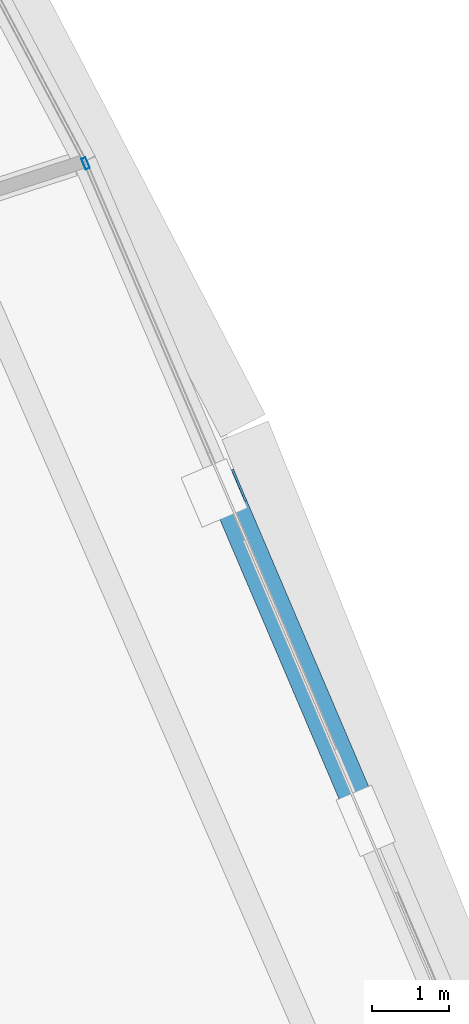
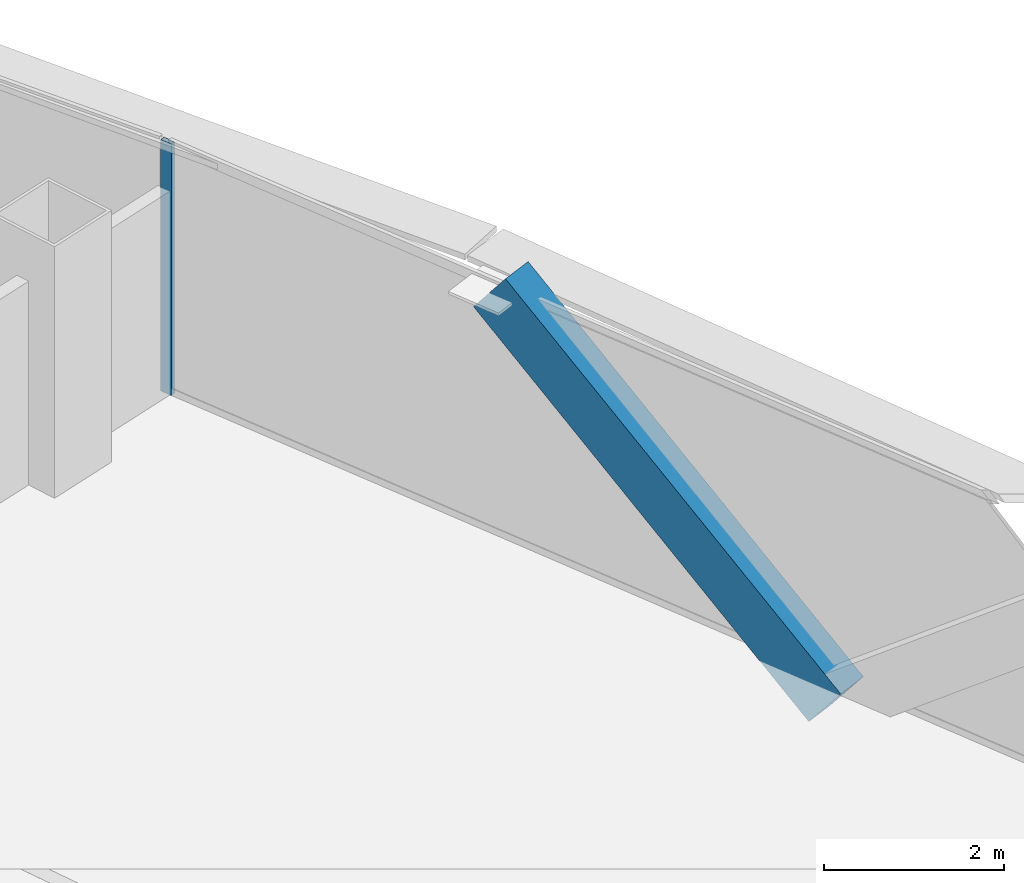
# One storey, part 26 of 42: 2 members, 1 element without a shape of its own.
"""IFC4 building model written with IfcOpenShell, lengths in metres."""

from ifc_helpers import new_model, si_unit, direction, frame, origin, origin_2d, place, context, subcontext, project, spatial, hollow_rectangle, extrude, source, transform, mapped, material, layer, layer_set, material_profile, profile_set, type_object, element, aggregate, save


model = new_model("IFC4")

# Units and contexts
model_context = context("Model", 3, precision=1e-05, world=origin(), true_north=direction((0.0, 1.0)))
body_context = subcontext(model_context, "Body", "Model", "MODEL_VIEW")
ifc_project = project(units=[si_unit("LENGTHUNIT", "METRE"), si_unit("AREAUNIT", "SQUARE_METRE"), si_unit("VOLUMEUNIT", "CUBIC_METRE"), si_unit("PLANEANGLEUNIT", "RADIAN"), si_unit("MASSUNIT", "GRAM", prefix="KILO"), si_unit("THERMODYNAMICTEMPERATUREUNIT", "KELVIN"), si_unit("POWERUNIT", "WATT")], contexts=[model_context])

# Site, building, storey
site_placement = place(None, origin())
site = spatial("IfcSite", under=ifc_project, at=site_placement, CompositionType="ELEMENT")
building_placement = place(site_placement, origin())
building = spatial("IfcBuilding", under=site, at=building_placement, Name="Yunzhuo Pagoda Commons", CompositionType="ELEMENT")
storey_placement = place(building_placement, frame((0.0, 0.0, 137.18994140625)))
storey = spatial("IfcBuildingStorey", under=building, at=storey_placement, Name="L34", CompositionType="ELEMENT", Elevation=137.18994140625)

# Member
ifc_material_1 = material(Name="Structural steel Q420B", Category="steel")
ifc_material_profile_1 = material_profile(ifc_material_1, hollow_rectangle(XDim=0.419921875, YDim=0.719970703125, WallThickness=0.028076171875, at=origin_2d()), Name="Structural steel Q420B")
ifc_profile_set_1 = profile_set([ifc_material_profile_1], Name="Structural steel Q420B")
member_type_1 = type_object("IfcMemberType", Name="M-DL1 Brace BOX 720x420x28", PredefinedType="BRACE", material=ifc_profile_set_1)
shared_shape_1 = source(origin(), body_context, "Body", "SweptSolid", [
    extrude(hollow_rectangle(XDim=0.419921875, YDim=0.719970703125, WallThickness=0.028076171875, at=origin_2d()), origin(), (0.0, 0.0, 1.0), 5.947265625),
])
member_1_placement = place(storey_placement, frame((83.38427734375, 35.410888671875, -0.260009765625), z_axis=(-0.308011026599, 0.722633360151, 0.618813569898), x_axis=(-0.919921719553, -0.39210206566, 0.0)))
element("IfcMember", 1, at=member_1_placement, inside=storey, type_object=member_type_1, Name="L34 facade diamond brace F2.1R", PredefinedType="BRACE", context=body_context, shape_type="MappedRepresentation", body=[
    mapped(shared_shape_1, transform((0.0, 0.0, 0.0), scale=1.0)),
])

# Curtain wall, member
ifc_material_2 = material(Name="Anodized aluminium 6063-T6", Category="aluminium")
ifc_layer = layer(ifc_material_2, 0.14990234375)
ifc_layer_set = layer_set([ifc_layer], Name="Anodized aluminium 6063-T6")
curtain_wall_type = type_object("IfcCurtainWallType", Name="CW-MID Mid-Zone Ribbon Curtain Wall", PredefinedType="NOTDEFINED", material=ifc_layer_set)
curtain_wall_placement = place(storey_placement, origin())
curtain_wall = element("IfcCurtainWall", 2, at=curtain_wall_placement, inside=storey, type_object=curtain_wall_type, Name="L34 curtain wall CW-L34-F2B2", PredefinedType="NOTDEFINED")
ifc_material_profile_2 = material_profile(ifc_material_2, hollow_rectangle(XDim=0.06005859375, YDim=0.14990234375, WallThickness=0.00390625, at=origin_2d()), Name="Anodized aluminium 6063-T6")
ifc_profile_set_2 = profile_set([ifc_material_profile_2], Name="Anodized aluminium 6063-T6")
member_type_2 = type_object("IfcMemberType", Name="CW-MID-M Mullion RHS 150x60x4", PredefinedType="MULLION", material=ifc_profile_set_2)
shared_shape_2 = source(origin(), body_context, "Body", "SweptSolid", [
    extrude(hollow_rectangle(XDim=0.06005859375, YDim=0.14990234375, WallThickness=0.00390625, at=origin_2d()), origin(), (0.0, 0.0, 1.0), 3.420166015625),
])
member_2_placement = place(storey_placement, frame((79.732177734375, 43.97900390625, 0.0), z_axis=(0.0, 0.0, 1.0), x_axis=(-0.919928137274, -0.392087008522, 0.0)))
member_2 = element("IfcMember", 3, at=member_2_placement, type_object=member_type_2, Name="CW mullion 2", PredefinedType="MULLION", context=body_context, shape_type="MappedRepresentation", body=[
    mapped(shared_shape_2, transform((0.0, 0.0, 0.0), scale=1.0)),
])
aggregate(curtain_wall, [member_2])

save(model, "model.ifc")
